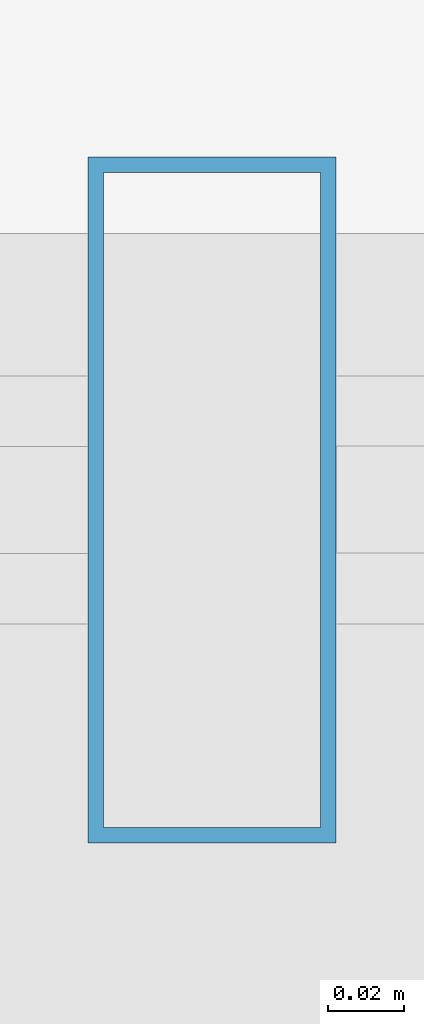
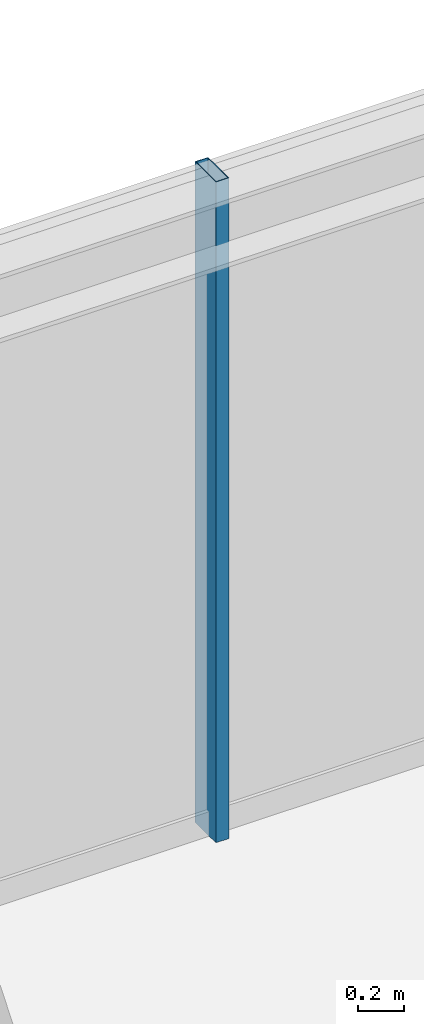
# One storey, part 20 of 31: 1 member, 1 element without a shape of its own.
"""IFC4 building model written with IfcOpenShell, lengths in metres."""

from ifc_helpers import new_model, si_unit, direction, frame, origin, origin_2d, place, context, subcontext, project, spatial, hollow_rectangle, extrude, source, transform, mapped, material, material_profile, profile_set, type_object, element, aggregate, save


model = new_model("IFC4")

# Units and contexts
model_context = context("Model", 3, precision=1e-05, world=origin(), true_north=direction((0.0, 1.0)))
body_context = subcontext(model_context, "Body", "Model", "MODEL_VIEW")
ifc_project = project(units=[si_unit("LENGTHUNIT", "METRE"), si_unit("AREAUNIT", "SQUARE_METRE"), si_unit("VOLUMEUNIT", "CUBIC_METRE"), si_unit("PLANEANGLEUNIT", "RADIAN"), si_unit("MASSUNIT", "GRAM", prefix="KILO")], contexts=[model_context])

# Site, building, storey
site_placement = place(None, origin())
site = spatial("IfcSite", under=ifc_project, at=site_placement, CompositionType="ELEMENT")
building_placement = place(site_placement, origin())
building = spatial("IfcBuilding", under=site, at=building_placement, Name="Nahalor Promenade Grand Hotel", CompositionType="ELEMENT")
storey_placement = place(building_placement, frame((0.0, 0.0, 327.14990234375)))
storey = spatial("IfcBuildingStorey", under=building, at=storey_placement, Name="L84", CompositionType="ELEMENT", Elevation=327.14990234375)

# Curtain wall, member
ifc_material = material(Name="Anodised Bronze Aluminium EN AW-6063 T6", Category="aluminium")
curtain_wall_type = type_object("IfcCurtainWallType", Name="CW2 Typical Hotel Flush Bronze Unitised Curtain Wall", PredefinedType="USERDEFINED", material=ifc_material)
curtain_wall_placement = place(storey_placement, origin())
curtain_wall = element("IfcCurtainWall", 1, at=curtain_wall_placement, inside=storey, type_object=curtain_wall_type, Name="L84 Curtain Wall CW-L84-N-3", ObjectType="UNITISED_CURTAIN_WALL", PredefinedType="USERDEFINED")
ifc_material_profile = material_profile(ifc_material, hollow_rectangle(XDim=0.065, YDim=0.18, WallThickness=0.004, at=origin_2d()), Name="CWM 65x180x4")
ifc_profile_set = profile_set([ifc_material_profile], Name="Anodised Bronze Aluminium EN AW-6063 T6")
member_type = type_object("IfcMemberType", Name="CWM2 Typical Bronze Mullion 65x180", PredefinedType="MULLION", material=ifc_profile_set)
shared_shape = source(origin(), body_context, "Body", "SweptSolid", [
    extrude(hollow_rectangle(XDim=0.065, YDim=0.18, WallThickness=0.004, at=origin_2d()), origin(), (0.0, 0.0, 1.0), 3.5),
])
member_placement = place(storey_placement, frame((5.679931640625, 22.56005859375, 0.0), z_axis=(0.0, 0.0, 1.0), x_axis=(1.0, 0.0, 0.0)))
member = element("IfcMember", 2, at=member_placement, type_object=member_type, Name="CW-L84-N-3 Mullion 1", PredefinedType="MULLION", context=body_context, shape_type="MappedRepresentation", body=[
    mapped(shared_shape, transform((0.0, 0.0, 0.0), scale=1.0)),
])
aggregate(curtain_wall, [member])

save(model, "model.ifc")
